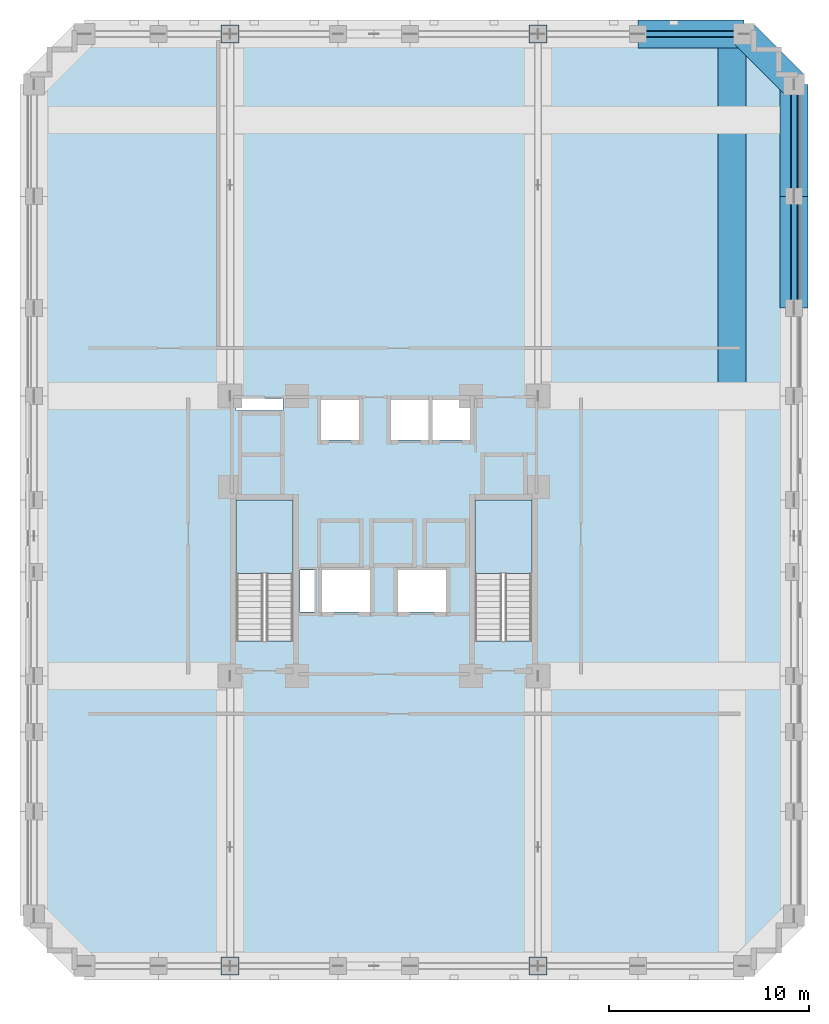
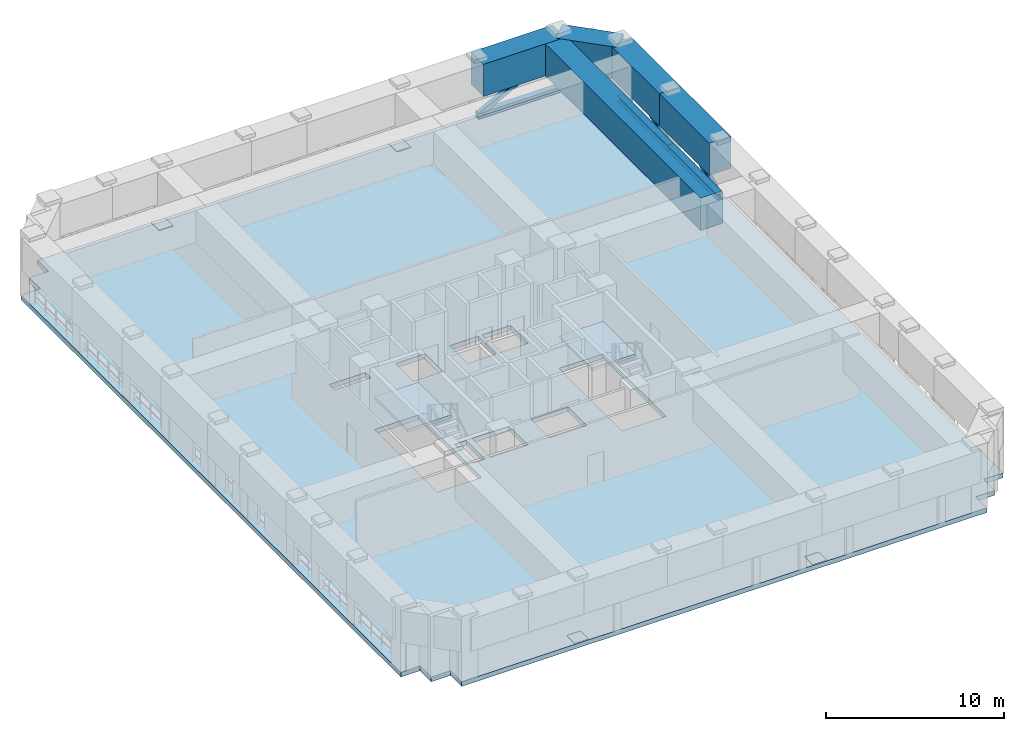
# One storey, part 3 of 11: 6 members, 5 beams, 4 plates, 3 slabs, 2 elements without a shape of their own.
"""IFC4 building model written with IfcOpenShell, lengths in metres."""

import ifcopenshell
import ifcopenshell.guid

model = None  # the IFC model being written
_history = None  # IfcOwnerHistory: only IFC2X3 demands one
_inside = {}  # id of a spatial element -> (the spatial element, [elements in it])
_under = {}  # id of a project, library or spatial element -> (it, [spatial elements below it])
_declared = {}  # id of a project -> (the project, [libraries it declares])
_typed = {}  # id of a type object -> (the type object, [elements of that type])
_made_of = {}  # id of a material, layer set ... -> (it, [elements and type objects made of it])


def new_model(schema):
    """Start an empty IFC model of exactly this schema.

    Asked for "IFC4X3", IfcOpenShell would pick the latest addendum, in which some entities
    have other attributes; the version numbers below select the first issue.
    IFC2X3 requires an IfcOwnerHistory on every rooted entity: one is made here for all.
    """
    global model, _history
    if schema == "IFC4X3":
        model = ifcopenshell.file(schema_version=(4, 3, 0, 0))
    else:
        model = ifcopenshell.file(schema=schema)
    _inside.clear()
    _under.clear()
    _declared.clear()
    _typed.clear()
    _made_of.clear()
    _history = None
    if model.schema == "IFC2X3":
        org = make("IfcOrganization", Name="unknown")
        user = make(
            "IfcPersonAndOrganization",
            ThePerson=make("IfcPerson", FamilyName="unknown"),
            TheOrganization=org,
        )
        app = make(
            "IfcApplication",
            ApplicationDeveloper=org,
            Version="unknown",
            ApplicationFullName="unknown",
            ApplicationIdentifier="unknown",
        )
        _history = make(
            "IfcOwnerHistory",
            OwningUser=user,
            OwningApplication=app,
            ChangeAction="ADDED",
            CreationDate=0,
        )
    return model


def make(cls, **values):
    """One entity of the class cls with the attributes given. An attribute that is None is left unset."""
    return model.create_entity(
        cls, **{name: value for name, value in values.items() if value is not None}
    )


def rooted(cls, **values):
    """An entity with a GlobalId (a new one), such as an element, a storey or a relation."""
    return make(cls, GlobalId=ifcopenshell.guid.new(), OwnerHistory=_history, **values)


def si_unit(unit_type, name, prefix=None):
    """IfcSIUnit, for example si_unit("LENGTHUNIT", "METRE", prefix="MILLI")."""
    return make("IfcSIUnit", UnitType=unit_type, Prefix=prefix, Name=name)


def derived_unit(unit_type, elements):
    """IfcDerivedUnit: a product of units, each with its exponent."""
    return make(
        "IfcDerivedUnit",
        Elements=[
            make("IfcDerivedUnitElement", Unit=unit, Exponent=power)
            for unit, power in elements
        ],
        UnitType=unit_type,
    )


def assignment(units):
    """IfcUnitAssignment: the units of a project."""
    return None if units is None else make("IfcUnitAssignment", Units=units)


def point(xyz):
    """IfcCartesianPoint."""
    return None if xyz is None else make("IfcCartesianPoint", Coordinates=xyz)


def direction(xyz):
    """IfcDirection."""
    return None if xyz is None else make("IfcDirection", DirectionRatios=xyz)


def frame(location, z_axis=None, x_axis=None):
    """IfcAxis2Placement3D, a coordinate frame: its origin and axes. An axis left out is left unset."""
    return make(
        "IfcAxis2Placement3D",
        Location=point(location),
        Axis=direction(z_axis),
        RefDirection=direction(x_axis),
    )


def frame_2d(location, x_axis=None):
    """IfcAxis2Placement2D, a coordinate frame in the plane: its origin and x axis."""
    return make(
        "IfcAxis2Placement2D", Location=point(location), RefDirection=direction(x_axis)
    )


def origin():
    """The frame at (0, 0, 0) with its axes left unset."""
    return frame((0.0, 0.0, 0.0))


def origin_2d():
    """The frame at (0, 0) in the plane with its x axis left unset."""
    return frame_2d((0.0, 0.0))


def place(relative_to, where):
    """IfcLocalPlacement: puts the frame where relative to a parent placement (None: the world)."""
    return make(
        "IfcLocalPlacement", PlacementRelTo=relative_to, RelativePlacement=where
    )


def context(
    kind, dimensions, precision=None, world=None, true_north=None, identifier=None
):
    """IfcGeometricRepresentationContext, for example the 3D "Model" context."""
    return make(
        "IfcGeometricRepresentationContext",
        ContextIdentifier=identifier,
        ContextType=kind,
        CoordinateSpaceDimension=dimensions,
        Precision=precision,
        WorldCoordinateSystem=world,
        TrueNorth=true_north,
    )


def subcontext(parent, identifier, kind, view, scale=None):
    """IfcGeometricRepresentationSubContext, for example "Body" below "Model"."""
    return make(
        "IfcGeometricRepresentationSubContext",
        ContextIdentifier=identifier,
        ContextType=kind,
        ParentContext=parent,
        TargetScale=scale,
        TargetView=view,
    )


def project(units=None, contexts=None):
    """IfcProject with its units and contexts."""
    return rooted(
        "IfcProject",
        Name="project",
        RepresentationContexts=contexts,
        UnitsInContext=assignment(units),
    )


def spatial(cls, under=None, at=None, **own):
    """A site, building, storey or space (cls), placed at a placement, below another one or the project."""
    s = rooted(cls, ObjectPlacement=at, **own)
    if under is not None:
        _under.setdefault(under.id(), (under, []))[1].append(s)
    return s


def polyline(points):
    """IfcPolyline through the points."""
    return make("IfcPolyline", Points=[point(p) for p in points])


def profile(cls, at=None, kind="AREA", **sizes):
    """A parametric profile (cls). Its sizes go by their IFC names, for example OverallWidth=200.0."""
    return make(cls, ProfileType=kind, Position=at, **sizes)


def rectangle(**sizes):
    """IfcRectangleProfileDef."""
    return profile("IfcRectangleProfileDef", **sizes)


def hollow_rectangle(**sizes):
    """IfcRectangleHollowProfileDef."""
    return profile("IfcRectangleHollowProfileDef", **sizes)


def i_section(**sizes):
    """IfcIShapeProfileDef."""
    return profile("IfcIShapeProfileDef", **sizes)


def outline(outer, holes=None, kind="AREA"):
    """IfcArbitraryClosedProfileDef: a profile drawn as a closed curve; with holes, ...WithVoids."""
    if holes is None:
        return make("IfcArbitraryClosedProfileDef", ProfileType=kind, OuterCurve=outer)
    return make(
        "IfcArbitraryProfileDefWithVoids",
        ProfileType=kind,
        OuterCurve=outer,
        InnerCurves=holes,
    )


def extrude(swept, where, along, depth):
    """IfcExtrudedAreaSolid: the profile swept, set in the frame where, extruded along a direction by depth."""
    return make(
        "IfcExtrudedAreaSolid",
        SweptArea=swept,
        Position=where,
        ExtrudedDirection=direction(along),
        Depth=depth,
    )


def shape(context_of_items, identifier, shape_type, items):
    """IfcShapeRepresentation: the items that make up one representation, for example the "Body"."""
    return make(
        "IfcShapeRepresentation",
        ContextOfItems=context_of_items,
        RepresentationIdentifier=identifier,
        RepresentationType=shape_type,
        Items=items,
    )


def material(Name=None, Category=None):
    """IfcMaterial."""
    return make("IfcMaterial", Name=Name, Category=Category)


def layer(
    of_material, thickness, ventilated=None, Name=None, Category=None, Priority=None
):
    """IfcMaterialLayer: one layer of a wall or slab, of a material (None: an air gap)."""
    return make(
        "IfcMaterialLayer",
        Material=of_material,
        LayerThickness=thickness,
        IsVentilated=ventilated,
        Name=Name,
        Category=Category,
        Priority=Priority,
    )


def layer_set(layers, Name=None):
    """IfcMaterialLayerSet."""
    return make("IfcMaterialLayerSet", MaterialLayers=layers, LayerSetName=Name)


def material_profile(
    of_material, cross_section, Name=None, Category=None, Priority=None
):
    """IfcMaterialProfile: a cross section and its material."""
    return make(
        "IfcMaterialProfile",
        Name=Name,
        Material=of_material,
        Profile=cross_section,
        Priority=Priority,
        Category=Category,
    )


def profile_set(profiles, Name=None, composite=None):
    """IfcMaterialProfileSet."""
    return make(
        "IfcMaterialProfileSet",
        Name=Name,
        MaterialProfiles=profiles,
        CompositeProfile=composite,
    )


def made_of(thing, what):
    """Note that an element or type object is made of a material, layer set ...; save() writes the relation."""
    if what is not None:
        _made_of.setdefault(what.id(), (what, []))[1].append(thing)
    return thing


def type_object(cls, material=None, **own):
    """A type object (cls), such as IfcWallType, which elements share."""
    return made_of(rooted(cls, **own), material)


def element(
    cls,
    number,
    at=None,
    inside=None,
    cuts=None,
    type_object=None,
    material=None,
    context=None,
    identifier="Body",
    shape_type=None,
    held_by="IfcProductDefinitionShape",
    body=None,
    shapes=None,
    **own,
):
    """One element of the class cls, such as IfcWall. Its Tag is "e" and its number.

    at: its placement. inside: the storey or other place that contains it. cuts: it is an
    opening in that element (IfcRelVoidsElement). A single representation is given by context,
    identifier, shape_type and body (its items); several are given by shapes. held_by: the class
    of the entity that holds the representations. save() writes the other relations.
    """
    e = rooted(cls, Tag="e%d" % number, ObjectPlacement=at, **own)
    if body is not None:
        shapes = [shape(context, identifier, shape_type, body)]
    if shapes is not None:
        e.Representation = make(held_by, Representations=shapes)
    if inside is not None:
        _inside.setdefault(inside.id(), (inside, []))[1].append(e)
    if cuts is not None:
        rooted(
            "IfcRelVoidsElement", RelatingBuildingElement=cuts, RelatedOpeningElement=e
        )
    if type_object is not None:
        _typed.setdefault(type_object.id(), (type_object, []))[1].append(e)
    return made_of(e, material)


def aggregate(whole, parts):
    """IfcRelAggregates: a whole, such as a stair, and the parts it consists of."""
    return rooted("IfcRelAggregates", RelatingObject=whole, RelatedObjects=parts)


def save(model, path):
    """Write the relations noted so far, then the file.

    IfcRelAggregates (storeys below a building ...), IfcRelContainedInSpatialStructure (elements
    in a storey), IfcRelDefinesByType, IfcRelAssociatesMaterial and IfcRelDeclares: one each for
    every whole, place, type object, material and project.
    """
    for whole, parts in _under.values():
        aggregate(whole, parts)
    for where, things in _inside.values():
        rooted(
            "IfcRelContainedInSpatialStructure",
            RelatedElements=things,
            RelatingStructure=where,
        )
    for kind, things in _typed.values():
        rooted("IfcRelDefinesByType", RelatedObjects=things, RelatingType=kind)
    for what, things in _made_of.values():
        rooted("IfcRelAssociatesMaterial", RelatedObjects=things, RelatingMaterial=what)
    for by, libraries in _declared.values():
        rooted("IfcRelDeclares", RelatingContext=by, RelatedDefinitions=libraries)
    model.write(path)


model = new_model("IFC4")

# Units and contexts
model_context = context("Model", 3, precision=1e-05, world=origin(), true_north=direction((0.0, 1.0)))
body_context = subcontext(model_context, "Body", "Model", "MODEL_VIEW")
ifc_project = project(units=[si_unit("LENGTHUNIT", "METRE"), si_unit("AREAUNIT", "SQUARE_METRE"), si_unit("VOLUMEUNIT", "CUBIC_METRE"), si_unit("PLANEANGLEUNIT", "RADIAN"), si_unit("MASSUNIT", "GRAM", prefix="KILO"), derived_unit("THERMALTRANSMITTANCEUNIT", [(si_unit("MASSUNIT", "GRAM", prefix="KILO"), 1), (si_unit("TIMEUNIT", "SECOND"), -3), (si_unit("THERMODYNAMICTEMPERATUREUNIT", "KELVIN"), -1)])], contexts=[model_context])

# Site, building, storey
site_placement = place(None, origin())
site = spatial("IfcSite", under=ifc_project, at=site_placement, CompositionType="ELEMENT")
building_placement = place(site_placement, origin())
building = spatial("IfcBuilding", under=site, at=building_placement, Name="Korrvale Station Residences", CompositionType="ELEMENT")
storey_placement = place(building_placement, frame((0.0, 0.0, 70.60009765625)))
storey = spatial("IfcBuildingStorey", under=building, at=storey_placement, Name="L19", CompositionType="ELEMENT", Elevation=70.60009765625)

# Beams
ifc_material_1 = material(Name="Concrete C70/85", Category="concrete")
ifc_material_profile_1 = material_profile(ifc_material_1, rectangle(XDim=1.39990234375, YDim=2.199951171875, at=origin_2d()), Name="RCB1400x2200")
ifc_profile_set_1 = profile_set([ifc_material_profile_1], Name="Concrete C70/85")
beam_type_1 = type_object("IfcBeamType", Name="BM-SPB-RCB1400x2200-C7085", PredefinedType="SPANDREL", material=ifc_profile_set_1)
beam_1_placement = place(storey_placement, frame((38.199951171875, 47.1201171875, 3.139892578125), z_axis=(1.0, 0.0, 0.0), x_axis=(0.0, 1.0, 0.0)))
element("IfcBeam", 1, at=beam_1_placement, inside=storey, type_object=beam_type_1, Name="L19 North Tube Spandrel 14", PredefinedType="SPANDREL", context=body_context, shape_type="SweptSolid", body=[
    extrude(rectangle(XDim=1.39990234375, YDim=2.199951171875, at=origin_2d()), origin(), (0.0, 0.0, 1.0), 5.300048828125),
])
for number, where, z_axis, x_axis, name in (
    (2, (46.02001953125, 33.39990234375, 3.139892578125), (0.0, 1.0, 0.0), (-1.0, 0.0, 0.0), "L19 East Tube Spandrel 31"),
    (3, (46.02001953125, 39.0, 3.139892578125), (0.0, 1.0, 0.0), (-1.0, 0.0, 0.0), "L19 East Tube Spandrel 32"),
):
    element("IfcBeam", number, at=place(storey_placement, frame(where, z_axis=z_axis, x_axis=x_axis)), inside=storey, type_object=beam_type_1, Name=name, PredefinedType="SPANDREL", context=body_context, shape_type="SweptSolid", body=[
        extrude(rectangle(XDim=1.39990234375, YDim=2.199951171875, at=origin_2d()), origin(), (0.0, 0.0, 1.0), 5.60009765625),
    ])
beam_2_placement = place(storey_placement, frame((43.5, 47.1201171875, 3.139892578125), z_axis=(0.707106781187, -0.707106781187, 0.0), x_axis=(0.707106781187, 0.707106781187, 0.0)))
element("IfcBeam", 4, at=beam_2_placement, inside=storey, type_object=beam_type_1, Name="L19 Serrated Corner Spandrel 35", PredefinedType="SPANDREL", context=body_context, shape_type="SweptSolid", body=[
    extrude(rectangle(XDim=1.39990234375, YDim=2.199951171875, at=origin_2d()), origin(), (0.0, 0.0, 1.0), 3.56396484375),
])
ifc_material_profile_2 = material_profile(ifc_material_1, rectangle(XDim=1.39990234375, YDim=2.199951171875, at=origin_2d()), Name="RCB1400x2200")
ifc_profile_set_2 = profile_set([ifc_material_profile_2], Name="Concrete C70/85")
beam_type_2 = type_object("IfcBeamType", Name="BM-TG-RCB1400x2200-C7085", PredefinedType="USERDEFINED", material=ifc_profile_set_2)
beam_3_placement = place(storey_placement, frame((42.919921875, 29.0, 3.139892578125), z_axis=(0.0, 1.0, 0.0), x_axis=(-1.0, 0.0, 0.0)))
element("IfcBeam", 5, at=beam_3_placement, inside=storey, type_object=beam_type_2, Name="TG2 L19 Setback Perimeter Transfer Girder 06", ObjectType="TRANSFER GIRDER", PredefinedType="USERDEFINED", context=body_context, shape_type="SweptSolid", body=[
    extrude(rectangle(XDim=1.39990234375, YDim=2.199951171875, at=origin_2d()), origin(), (0.0, 0.0, 1.0), 18.1201171875),
])

# Members
ifc_material_2 = material(Name="Steel S355", Category="steel")
ifc_material_profile_3 = material_profile(ifc_material_2, hollow_rectangle(XDim=0.3046875, YDim=0.3046875, WallThickness=0.015869140625, InnerFilletRadius=0.015869140625, OuterFilletRadius=0.03173828125, at=origin_2d()), Name="HSS305x305x16")
ifc_profile_set_3 = profile_set([ifc_material_profile_3], Name="Steel S355")
member_type_1 = type_object("IfcMemberType", Name="MBR-BR-BT-HSS305x305x16", PredefinedType="BRACE", material=ifc_profile_set_3)
member_1_placement = place(storey_placement, frame((38.199951171875, 47.1201171875, 0.349853515625), z_axis=(0.883501658827, 0.0, 0.468428029531), x_axis=(0.0, 1.0, 0.0)))
element("IfcMember", 6, at=member_1_placement, inside=storey, type_object=member_type_1, Name="L19 Belt Truss Web Diagonal 12", PredefinedType="BRACE", context=body_context, shape_type="SweptSolid", body=[
    extrude(hollow_rectangle(XDim=0.3046875, YDim=0.3046875, WallThickness=0.015869140625, InnerFilletRadius=0.015869140625, OuterFilletRadius=0.03173828125, at=origin_2d()), origin(), (0.0, 0.0, 1.0), 5.9990234375),
])
for number, where, z_axis, x_axis, name in (
    (7, (46.02001953125, 33.39990234375, 0.349853515625), (0.0, 0.893787246101, 0.448491202486), (-1.0, 0.0, 0.0), "L19 Belt Truss Web Diagonal 27"),
    (8, (46.02001953125, 39.0, 0.349853515625), (0.0, 0.893787246101, 0.448491202486), (-1.0, 0.0, 0.0), "L19 Belt Truss Web Diagonal 28"),
):
    element("IfcMember", number, at=place(storey_placement, frame(where, z_axis=z_axis, x_axis=x_axis)), inside=storey, type_object=member_type_1, Name=name, PredefinedType="BRACE", context=body_context, shape_type="SweptSolid", body=[
        extrude(hollow_rectangle(XDim=0.3046875, YDim=0.3046875, WallThickness=0.015869140625, InnerFilletRadius=0.015869140625, OuterFilletRadius=0.03173828125, at=origin_2d()), origin(), (0.0, 0.0, 1.0), 6.265625),
    ])
ifc_material_profile_4 = material_profile(ifc_material_2, i_section(OverallWidth=0.3740234375, OverallDepth=0.3720703125, WebThickness=0.016357421875, FlangeThickness=0.026123046875, FilletRadius=0.014892578125, at=origin_2d()), Name="W360x196")
ifc_profile_set_4 = profile_set([ifc_material_profile_4], Name="Steel S355")
member_type_2 = type_object("IfcMemberType", Name="MBR-CHD-BT-W360x196", PredefinedType="CHORD", material=ifc_profile_set_4)
member_2_placement = place(storey_placement, frame((38.199951171875, 47.1201171875, 0.349853515625), z_axis=(1.0, 0.0, 0.0), x_axis=(0.0, 1.0, 0.0)))
element("IfcMember", 9, at=member_2_placement, inside=storey, type_object=member_type_2, Name="L19 Belt Truss Bottom Chord 12", PredefinedType="CHORD", context=body_context, shape_type="SweptSolid", body=[
    extrude(i_section(OverallWidth=0.3740234375, OverallDepth=0.3720703125, WebThickness=0.016357421875, FlangeThickness=0.026123046875, FilletRadius=0.014892578125, at=origin_2d()), origin(), (0.0, 0.0, 1.0), 5.300048828125),
])
for number, where, z_axis, x_axis, name in (
    (10, (46.02001953125, 33.39990234375, 0.349853515625), (0.0, 1.0, 0.0), (-1.0, 0.0, 0.0), "L19 Belt Truss Bottom Chord 27"),
    (11, (46.02001953125, 39.0, 0.349853515625), (0.0, 1.0, 0.0), (-1.0, 0.0, 0.0), "L19 Belt Truss Bottom Chord 28"),
):
    element("IfcMember", number, at=place(storey_placement, frame(where, z_axis=z_axis, x_axis=x_axis)), inside=storey, type_object=member_type_2, Name=name, PredefinedType="CHORD", context=body_context, shape_type="SweptSolid", body=[
        extrude(i_section(OverallWidth=0.3740234375, OverallDepth=0.3720703125, WebThickness=0.016357421875, FlangeThickness=0.026123046875, FilletRadius=0.014892578125, at=origin_2d()), origin(), (0.0, 0.0, 1.0), 5.60009765625),
    ])

# Plates
ifc_layer_1 = layer(ifc_material_2, 0.034912109375, Name="Steel S355")
ifc_layer_set_1 = layer_set([ifc_layer_1], Name="Steel S355")
plate_type = type_object("IfcPlateType", Name="PLT-BASE-35", PredefinedType="SHEET", material=ifc_layer_set_1)
for number, where, z_axis, x_axis, name in (
    (12, (17.800048828125, 0.47998046875, 0.0), (0.0, 0.0, 1.0), (1.0, 0.0, 0.0), "L19 Outrigger Anchor Base Plate 1"),
    (13, (33.199951171875, 0.47998046875, 0.0), (0.0, 0.0, 1.0), (1.0, 0.0, 0.0), "L19 Outrigger Anchor Base Plate 2"),
    (14, (17.800048828125, 47.1201171875, 0.0), (0.0, 0.0, 1.0), (1.0, 0.0, 0.0), "L19 Outrigger Anchor Base Plate 3"),
    (15, (33.199951171875, 47.1201171875, 0.0), (0.0, 0.0, 1.0), (1.0, 0.0, 0.0), "L19 Outrigger Anchor Base Plate 4"),
):
    element("IfcPlate", number, at=place(storey_placement, frame(where, z_axis=z_axis, x_axis=x_axis)), inside=storey, type_object=plate_type, Name=name, PredefinedType="SHEET", context=body_context, shape_type="SweptSolid", body=[
        extrude(rectangle(XDim=0.89990234375, YDim=0.89990234375, at=origin_2d()), origin(), (0.0, 0.0, 1.0), 0.034912109375),
    ])

# Slab
ifc_material_3 = material(Name="Concrete C50/60", Category="concrete")
ifc_layer_2 = layer(ifc_material_3, 0.320068359375, Name="Concrete C50/60")
ifc_layer_set_2 = layer_set([ifc_layer_2], Name="Concrete C50/60")
slab_type_1 = type_object("IfcSlabType", Name="SLB-FLR-320", PredefinedType="FLOOR", material=ifc_layer_set_2)
slab_1_placement = place(storey_placement, frame((0.0, 0.0, -0.320068359375)))
element("IfcSlab", 16, at=slab_1_placement, inside=storey, type_object=slab_type_1, Name="L19 Suspended Structural Floor Slab", PredefinedType="FLOOR", context=body_context, shape_type="SweptSolid", body=[
    extrude(outline(polyline([(10.0, 0.0), (44.0, 0.0), (44.0, 1.25), (45.25, 1.25), (45.25, 2.5), (46.5, 2.5), (46.5, 45.10009765625), (45.25, 45.10009765625), (45.25, 46.35009765625), (44.0, 46.35009765625), (44.0, 47.60009765625), (10.0, 47.60009765625), (10.0, 46.35009765625), (8.75, 46.35009765625), (8.75, 45.10009765625), (7.5, 45.10009765625), (7.5, 2.5), (8.75, 2.5), (8.75, 1.25), (10.0, 1.25), (10.0, 0.0)]), holes=[polyline([(20.949951171875, 16.751953125), (20.949951171875, 23.800048828125), (18.10009765625, 23.800048828125), (18.10009765625, 16.751953125), (20.949951171875, 16.751953125)]), polyline([(32.89990234375, 16.751953125), (32.89990234375, 23.800048828125), (30.050048828125, 23.800048828125), (30.050048828125, 16.751953125), (32.89990234375, 16.751953125)]), polyline([(22.35009765625, 26.800048828125), (24.25, 26.800048828125), (24.25, 28.800048828125), (22.35009765625, 28.800048828125), (22.35009765625, 26.800048828125)]), polyline([(25.85009765625, 26.800048828125), (27.7099609375, 26.800048828125), (27.7099609375, 28.800048828125), (25.85009765625, 28.800048828125), (25.85009765625, 26.800048828125)]), polyline([(27.929931640625, 26.800048828125), (29.7900390625, 26.800048828125), (29.7900390625, 28.800048828125), (27.929931640625, 28.800048828125), (27.929931640625, 26.800048828125)]), polyline([(22.39990234375, 18.199951171875), (24.800048828125, 18.199951171875), (24.800048828125, 20.300048828125), (22.39990234375, 20.300048828125), (22.39990234375, 18.199951171875)]), polyline([(26.199951171875, 18.199951171875), (28.60009765625, 18.199951171875), (28.60009765625, 20.300048828125), (26.199951171875, 20.300048828125), (26.199951171875, 18.199951171875)]), polyline([(18.10009765625, 28.280029296875), (20.449951171875, 28.280029296875), (20.449951171875, 28.8798828125), (18.10009765625, 28.8798828125), (18.10009765625, 28.280029296875)]), polyline([(21.280029296875, 18.199951171875), (22.02001953125, 18.199951171875), (22.02001953125, 20.300048828125), (21.280029296875, 20.300048828125), (21.280029296875, 18.199951171875)])]), origin(), (0.0, 0.0, 1.0), 0.320068359375),
])

# Stair, slab
stair_type = type_object("IfcStairType", Name="STR-DL-1350-26R-1731", PredefinedType="HALF_TURN_STAIR", material=ifc_material_3)
stair_1_placement = place(storey_placement, origin())
stair_1 = element("IfcStair", 17, at=stair_1_placement, inside=storey, type_object=stair_type, Name="L19 Exit Stair 1", PredefinedType="HALF_TURN_STAIR")
ifc_layer_3 = layer(ifc_material_3, 0.199951171875, Name="Concrete C50/60")
ifc_layer_set_3 = layer_set([ifc_layer_3], Name="Concrete C50/60")
slab_type_2 = type_object("IfcSlabType", Name="SLB-LND-200", PredefinedType="LANDING", material=ifc_layer_set_3)
slab_2_placement = place(storey_placement, frame((0.0, 0.0, 2.0498046875)))
slab_2 = element("IfcSlab", 18, at=slab_2_placement, type_object=slab_type_2, Name="ST-1 landing 1", PredefinedType="LANDING", context=body_context, shape_type="SweptSolid", body=[
    extrude(outline(polyline([(20.949951171875, 20.110107421875), (20.949951171875, 23.800048828125), (18.10009765625, 23.800048828125), (18.10009765625, 20.110107421875), (20.949951171875, 20.110107421875)])), origin(), (0.0, 0.0, 1.0), 0.2001953125),
])
aggregate(stair_1, [slab_2])

stair_2_placement = place(storey_placement, origin())
stair_2 = element("IfcStair", 19, at=stair_2_placement, inside=storey, type_object=stair_type, Name="L19 Exit Stair 2", PredefinedType="HALF_TURN_STAIR")
slab_3_placement = place(storey_placement, frame((0.0, 0.0, 2.0498046875)))
slab_3 = element("IfcSlab", 20, at=slab_3_placement, type_object=slab_type_2, Name="ST-2 landing 1", PredefinedType="LANDING", context=body_context, shape_type="SweptSolid", body=[
    extrude(outline(polyline([(32.89990234375, 20.110107421875), (32.89990234375, 23.800048828125), (30.050048828125, 23.800048828125), (30.050048828125, 20.110107421875), (32.89990234375, 20.110107421875)])), origin(), (0.0, 0.0, 1.0), 0.2001953125),
])
aggregate(stair_2, [slab_3])

save(model, "model.ifc")
